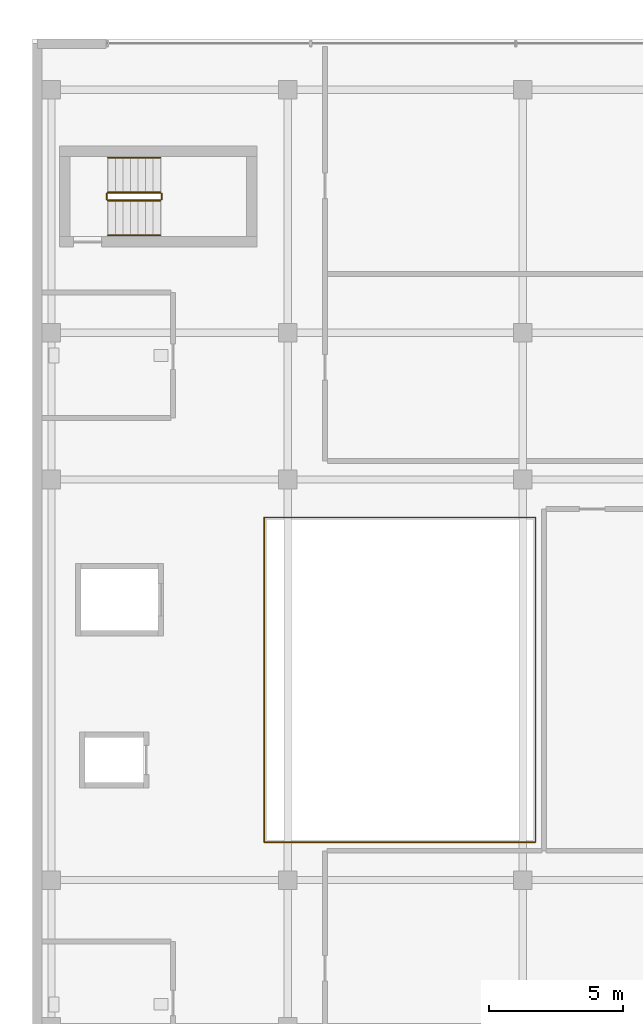
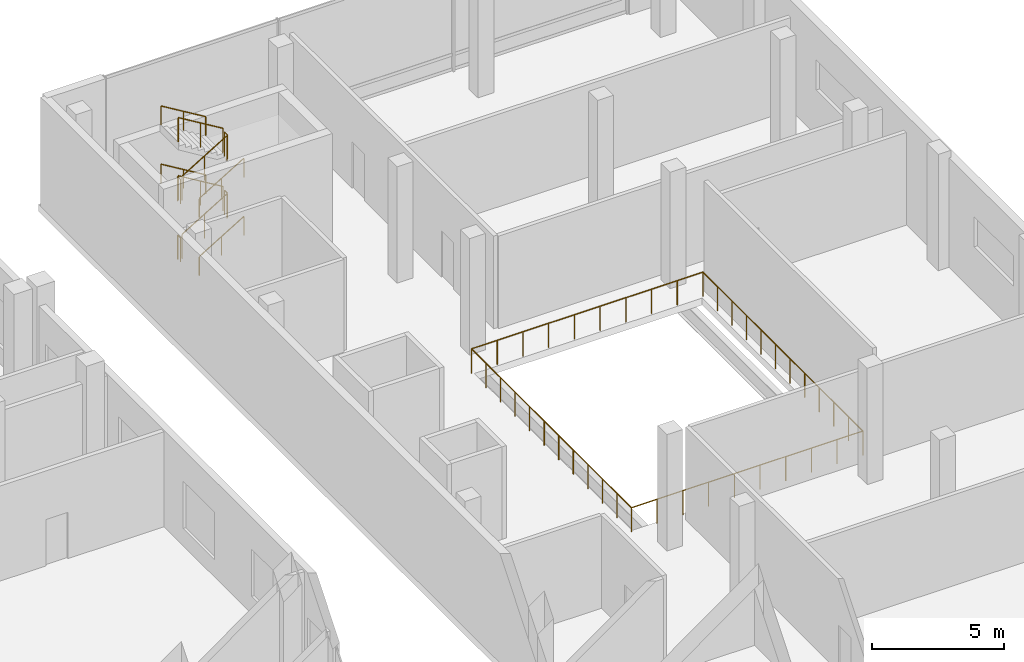
# One storey, part 21 of 22: 13 railings.
"""IFC4 building model written with IfcOpenShell, lengths in metres."""

from ifc_helpers import new_model, si_unit, direction, frame, origin, origin_2d, place, context, subcontext, project, spatial, circle, extrude, material, type_object, element, save


model = new_model("IFC4")

# Units and contexts
model_context = context("Model", 3, precision=1e-05, world=origin(), true_north=direction((0.0, 1.0)))
body_context = subcontext(model_context, "Body", "Model", "MODEL_VIEW")
ifc_project = project(units=[si_unit("LENGTHUNIT", "METRE"), si_unit("AREAUNIT", "SQUARE_METRE"), si_unit("VOLUMEUNIT", "CUBIC_METRE"), si_unit("PLANEANGLEUNIT", "RADIAN"), si_unit("MASSUNIT", "GRAM", prefix="KILO")], contexts=[model_context])

# Site, building, storey
site_placement = place(None, origin())
site = spatial("IfcSite", under=ifc_project, at=site_placement, CompositionType="ELEMENT")
building_placement = place(site_placement, origin())
building = spatial("IfcBuilding", under=site, at=building_placement, Name="Barlavira Tower and Art Museum", CompositionType="ELEMENT")
storey_placement = place(building_placement, frame((0.0, 0.0, 16.800048828125)))
storey = spatial("IfcBuildingStorey", under=building, at=storey_placement, Name="L03", CompositionType="ELEMENT", Elevation=16.800048828125)

# Railings
ifc_material = material(Name="Brushed stainless steel", Category="steel")
railing_type_1 = type_object("IfcRailingType", Name="Interior Void and Landing Guard Railing 1150", PredefinedType="GUARDRAIL", material=ifc_material)
railing_1_placement = place(storey_placement, frame((32.070068359375, 17.949951171875, 0.168701171875)))
element("IfcRailing", 1, at=railing_1_placement, inside=storey, type_object=railing_type_1, Name="L03 ST-M2 stair guard 1", PredefinedType="GUARDRAIL", context=body_context, shape_type="SweptSolid", body=[
    extrude(circle(Radius=0.02392578125, at=origin_2d()), frame((0.0, 0.0, 1.1259765625), z_axis=(0.856493463811, 0.0, 0.516157869696), x_axis=(0.0, 1.0, 0.0)), (0.0, 0.0, 1.0), 2.288330078125),
    extrude(circle(Radius=0.02099609375, at=origin_2d()), origin(), (0.0, 0.0, 1.0), 1.101806640625),
    extrude(circle(Radius=0.02099609375, at=origin_2d()), frame((0.97998046875, 0.0, 0.590576171875)), (0.0, 0.0, 1.0), 1.101806640625),
    extrude(circle(Radius=0.02099609375, at=origin_2d()), frame((1.9599609375, 0.0, 1.18115234375)), (0.0, 0.0, 1.0), 1.101806640625),
])
railing_2_placement = place(storey_placement, frame((34.080078125, 18.0, 1.349853515625)))
element("IfcRailing", 2, at=railing_2_placement, inside=storey, type_object=railing_type_1, Name="L03 ST-M2 stair guard 2", PredefinedType="GUARDRAIL", context=body_context, shape_type="SweptSolid", body=[
    extrude(circle(Radius=0.02392578125, at=origin_2d()), frame((0.0, 0.0, 1.1259765625), z_axis=(0.0, 1.0, 0.0), x_axis=(-1.0, 0.0, 0.0)), (0.0, 0.0, 1.0), 0.199951171875),
    extrude(circle(Radius=0.02099609375, at=origin_2d()), origin(), (0.0, 0.0, 1.0), 1.101806640625),
    extrude(circle(Radius=0.02099609375, at=origin_2d()), frame((0.0, 0.199951171875, 0.0)), (0.0, 0.0, 1.0), 1.101806640625),
])
railing_3_placement = place(storey_placement, frame((34.030029296875, 18.25, 1.518798828125)))
element("IfcRailing", 3, at=railing_3_placement, inside=storey, type_object=railing_type_1, Name="L03 ST-M2 stair guard 3", PredefinedType="GUARDRAIL", context=body_context, shape_type="SweptSolid", body=[
    extrude(circle(Radius=0.02392578125, at=origin_2d()), frame((0.0, 0.0, 1.1259765625), z_axis=(-0.856493463811, 0.0, 0.516157869696), x_axis=(0.0, -1.0, 0.0)), (0.0, 0.0, 1.0), 2.288330078125),
    extrude(circle(Radius=0.02099609375, at=origin_2d()), origin(), (0.0, 0.0, 1.0), 1.101806640625),
    extrude(circle(Radius=0.02099609375, at=origin_2d()), frame((-0.97998046875, 0.0, 0.590576171875)), (0.0, 0.0, 1.0), 1.101806640625),
    extrude(circle(Radius=0.02099609375, at=origin_2d()), frame((-1.9599609375, 0.0, 1.18115234375)), (0.0, 0.0, 1.0), 1.101806640625),
])
railing_4_placement = place(storey_placement, frame((32.02001953125, 18.0, 2.699951171875)))
element("IfcRailing", 4, at=railing_4_placement, inside=storey, type_object=railing_type_1, Name="L03 ST-M2 stair guard 4", PredefinedType="GUARDRAIL", context=body_context, shape_type="SweptSolid", body=[
    extrude(circle(Radius=0.02392578125, at=origin_2d()), frame((0.0, 0.0, 1.1259765625), z_axis=(0.0, 1.0, 0.0), x_axis=(-1.0, 0.0, 0.0)), (0.0, 0.0, 1.0), 0.199951171875),
    extrude(circle(Radius=0.02099609375, at=origin_2d()), origin(), (0.0, 0.0, 1.0), 1.101806640625),
    extrude(circle(Radius=0.02099609375, at=origin_2d()), frame((0.0, 0.199951171875, 0.0)), (0.0, 0.0, 1.0), 1.101806640625),
])
railing_5_placement = place(storey_placement, frame((32.070068359375, 17.949951171875, 2.86865234375)))
element("IfcRailing", 5, at=railing_5_placement, inside=storey, type_object=railing_type_1, Name="L03 ST-M2 stair guard 5", PredefinedType="GUARDRAIL", context=body_context, shape_type="SweptSolid", body=[
    extrude(circle(Radius=0.02392578125, at=origin_2d()), frame((0.0, 0.0, 1.1259765625), z_axis=(0.856446297458, 0.0, 0.516236127728), x_axis=(0.0, 1.0, 0.0)), (0.0, 0.0, 1.0), 2.28857421875),
    extrude(circle(Radius=0.02099609375, at=origin_2d()), origin(), (0.0, 0.0, 1.0), 1.101806640625),
    extrude(circle(Radius=0.02099609375, at=origin_2d()), frame((0.97998046875, 0.0, 0.5908203125)), (0.0, 0.0, 1.0), 1.101806640625),
    extrude(circle(Radius=0.02099609375, at=origin_2d()), frame((1.9599609375, 0.0, 1.181396484375)), (0.0, 0.0, 1.0), 1.101806640625),
])
railing_6_placement = place(storey_placement, frame((34.080078125, 18.0, 4.050048828125)))
element("IfcRailing", 6, at=railing_6_placement, inside=storey, type_object=railing_type_1, Name="L03 ST-M2 stair guard 6", PredefinedType="GUARDRAIL", context=body_context, shape_type="SweptSolid", body=[
    extrude(circle(Radius=0.02392578125, at=origin_2d()), frame((0.0, 0.0, 1.1259765625), z_axis=(0.0, 1.0, 0.0), x_axis=(-1.0, 0.0, 0.0)), (0.0, 0.0, 1.0), 0.199951171875),
    extrude(circle(Radius=0.02099609375, at=origin_2d()), origin(), (0.0, 0.0, 1.0), 1.101806640625),
    extrude(circle(Radius=0.02099609375, at=origin_2d()), frame((0.0, 0.199951171875, 0.0)), (0.0, 0.0, 1.0), 1.101806640625),
])
railing_7_placement = place(storey_placement, frame((34.030029296875, 18.25, 4.21875)))
element("IfcRailing", 7, at=railing_7_placement, inside=storey, type_object=railing_type_1, Name="L03 ST-M2 stair guard 7", PredefinedType="GUARDRAIL", context=body_context, shape_type="SweptSolid", body=[
    extrude(circle(Radius=0.02392578125, at=origin_2d()), frame((0.0, 0.0, 1.1259765625), z_axis=(-0.856493463811, 0.0, 0.516157869696), x_axis=(0.0, -1.0, 0.0)), (0.0, 0.0, 1.0), 2.288330078125),
    extrude(circle(Radius=0.02099609375, at=origin_2d()), origin(), (0.0, 0.0, 1.0), 1.101806640625),
    extrude(circle(Radius=0.02099609375, at=origin_2d()), frame((-0.97998046875, 0.0, 0.590576171875)), (0.0, 0.0, 1.0), 1.101806640625),
    extrude(circle(Radius=0.02099609375, at=origin_2d()), frame((-1.9599609375, 0.0, 1.18115234375)), (0.0, 0.0, 1.0), 1.101806640625),
])
railing_8_placement = place(storey_placement, frame((32.02001953125, 18.0, 0.0)))
element("IfcRailing", 8, at=railing_8_placement, inside=storey, type_object=railing_type_1, Name="L03 ST-M2 stair guard 8", PredefinedType="GUARDRAIL", context=body_context, shape_type="SweptSolid", body=[
    extrude(circle(Radius=0.02392578125, at=origin_2d()), frame((0.0, 0.0, 1.1259765625), z_axis=(0.0, 1.0, 0.0), x_axis=(-1.0, 0.0, 0.0)), (0.0, 0.0, 1.0), 0.199951171875),
    extrude(circle(Radius=0.02099609375, at=origin_2d()), origin(), (0.0, 0.0, 1.0), 1.101806640625),
    extrude(circle(Radius=0.02099609375, at=origin_2d()), frame((0.0, 0.199951171875, 0.0)), (0.0, 0.0, 1.0), 1.101806640625),
])
railing_9_placement = place(storey_placement, frame((37.919921875, -6.080078125, 0.0)))
element("IfcRailing", 9, at=railing_9_placement, inside=storey, type_object=railing_type_1, Name="L03 Museum Daylight Atrium Balustrade", PredefinedType="GUARDRAIL", context=body_context, shape_type="SweptSolid", body=[
    extrude(circle(Radius=0.02392578125, at=origin_2d()), frame((0.0, 0.0, 1.1259765625), z_axis=(1.0, 0.0, 0.0), x_axis=(0.0, 1.0, 0.0)), (0.0, 0.0, 1.0), 10.16015625),
    extrude(circle(Radius=0.02392578125, at=origin_2d()), frame((10.16015625, 0.0, 1.1259765625), z_axis=(0.0, 1.0, 0.0), x_axis=(-1.0, 0.0, 0.0)), (0.0, 0.0, 1.0), 12.16015625),
    extrude(circle(Radius=0.02392578125, at=origin_2d()), frame((10.16015625, 12.16015625, 1.1259765625), z_axis=(-1.0, 0.0, 0.0), x_axis=(0.0, -1.0, 0.0)), (0.0, 0.0, 1.0), 10.16015625),
    extrude(circle(Radius=0.02392578125, at=origin_2d()), frame((0.0, 12.16015625, 1.1259765625), z_axis=(0.0, -1.0, 0.0), x_axis=(1.0, 0.0, 0.0)), (0.0, 0.0, 1.0), 12.16015625),
    extrude(circle(Radius=0.02099609375, at=origin_2d()), origin(), (0.0, 0.0, 1.0), 1.101806640625),
    extrude(circle(Radius=0.02099609375, at=origin_2d()), frame((1.12890625, 0.0, 0.0)), (0.0, 0.0, 1.0), 1.101806640625),
    extrude(circle(Radius=0.02099609375, at=origin_2d()), frame((2.2578125, 0.0, 0.0)), (0.0, 0.0, 1.0), 1.101806640625),
    extrude(circle(Radius=0.02099609375, at=origin_2d()), frame((3.38671875, 0.0, 0.0)), (0.0, 0.0, 1.0), 1.101806640625),
    extrude(circle(Radius=0.02099609375, at=origin_2d()), frame((4.515625, 0.0, 0.0)), (0.0, 0.0, 1.0), 1.101806640625),
    extrude(circle(Radius=0.02099609375, at=origin_2d()), frame((5.64453125, 0.0, 0.0)), (0.0, 0.0, 1.0), 1.101806640625),
    extrude(circle(Radius=0.02099609375, at=origin_2d()), frame((6.7734375, 0.0, 0.0)), (0.0, 0.0, 1.0), 1.101806640625),
    extrude(circle(Radius=0.02099609375, at=origin_2d()), frame((7.90234375, 0.0, 0.0)), (0.0, 0.0, 1.0), 1.101806640625),
    extrude(circle(Radius=0.02099609375, at=origin_2d()), frame((9.03125, 0.0, 0.0)), (0.0, 0.0, 1.0), 1.101806640625),
    extrude(circle(Radius=0.02099609375, at=origin_2d()), frame((10.16015625, 0.0, 0.0)), (0.0, 0.0, 1.0), 1.101806640625),
    extrude(circle(Radius=0.02099609375, at=origin_2d()), frame((10.16015625, 1.10546875, 0.0)), (0.0, 0.0, 1.0), 1.101806640625),
    extrude(circle(Radius=0.02099609375, at=origin_2d()), frame((10.16015625, 2.2109375, 0.0)), (0.0, 0.0, 1.0), 1.101806640625),
    extrude(circle(Radius=0.02099609375, at=origin_2d()), frame((10.16015625, 3.31640625, 0.0)), (0.0, 0.0, 1.0), 1.101806640625),
    extrude(circle(Radius=0.02099609375, at=origin_2d()), frame((10.16015625, 4.421875, 0.0)), (0.0, 0.0, 1.0), 1.101806640625),
    extrude(circle(Radius=0.02099609375, at=origin_2d()), frame((10.16015625, 5.52734375, 0.0)), (0.0, 0.0, 1.0), 1.101806640625),
    extrude(circle(Radius=0.02099609375, at=origin_2d()), frame((10.16015625, 6.6328125, 0.0)), (0.0, 0.0, 1.0), 1.101806640625),
    extrude(circle(Radius=0.02099609375, at=origin_2d()), frame((10.16015625, 7.73828125, 0.0)), (0.0, 0.0, 1.0), 1.101806640625),
    extrude(circle(Radius=0.02099609375, at=origin_2d()), frame((10.16015625, 8.84375, 0.0)), (0.0, 0.0, 1.0), 1.101806640625),
    extrude(circle(Radius=0.02099609375, at=origin_2d()), frame((10.16015625, 9.94921875, 0.0)), (0.0, 0.0, 1.0), 1.101806640625),
    extrude(circle(Radius=0.02099609375, at=origin_2d()), frame((10.16015625, 11.0546875, 0.0)), (0.0, 0.0, 1.0), 1.101806640625),
    extrude(circle(Radius=0.02099609375, at=origin_2d()), frame((10.16015625, 12.16015625, 0.0)), (0.0, 0.0, 1.0), 1.101806640625),
    extrude(circle(Radius=0.02099609375, at=origin_2d()), frame((9.03125, 12.16015625, 0.0)), (0.0, 0.0, 1.0), 1.101806640625),
    extrude(circle(Radius=0.02099609375, at=origin_2d()), frame((7.90234375, 12.16015625, 0.0)), (0.0, 0.0, 1.0), 1.101806640625),
    extrude(circle(Radius=0.02099609375, at=origin_2d()), frame((6.7734375, 12.16015625, 0.0)), (0.0, 0.0, 1.0), 1.101806640625),
    extrude(circle(Radius=0.02099609375, at=origin_2d()), frame((5.64453125, 12.16015625, 0.0)), (0.0, 0.0, 1.0), 1.101806640625),
    extrude(circle(Radius=0.02099609375, at=origin_2d()), frame((4.515625, 12.16015625, 0.0)), (0.0, 0.0, 1.0), 1.101806640625),
    extrude(circle(Radius=0.02099609375, at=origin_2d()), frame((3.38671875, 12.16015625, 0.0)), (0.0, 0.0, 1.0), 1.101806640625),
    extrude(circle(Radius=0.02099609375, at=origin_2d()), frame((2.2578125, 12.16015625, 0.0)), (0.0, 0.0, 1.0), 1.101806640625),
    extrude(circle(Radius=0.02099609375, at=origin_2d()), frame((1.12890625, 12.16015625, 0.0)), (0.0, 0.0, 1.0), 1.101806640625),
    extrude(circle(Radius=0.02099609375, at=origin_2d()), frame((0.0, 12.16015625, 0.0)), (0.0, 0.0, 1.0), 1.101806640625),
    extrude(circle(Radius=0.02099609375, at=origin_2d()), frame((0.0, 11.0546875, 0.0)), (0.0, 0.0, 1.0), 1.101806640625),
    extrude(circle(Radius=0.02099609375, at=origin_2d()), frame((0.0, 9.94921875, 0.0)), (0.0, 0.0, 1.0), 1.101806640625),
    extrude(circle(Radius=0.02099609375, at=origin_2d()), frame((0.0, 8.84375, 0.0)), (0.0, 0.0, 1.0), 1.101806640625),
    extrude(circle(Radius=0.02099609375, at=origin_2d()), frame((0.0, 7.73828125, 0.0)), (0.0, 0.0, 1.0), 1.101806640625),
    extrude(circle(Radius=0.02099609375, at=origin_2d()), frame((0.0, 6.6328125, 0.0)), (0.0, 0.0, 1.0), 1.101806640625),
    extrude(circle(Radius=0.02099609375, at=origin_2d()), frame((0.0, 5.52734375, 0.0)), (0.0, 0.0, 1.0), 1.101806640625),
    extrude(circle(Radius=0.02099609375, at=origin_2d()), frame((0.0, 4.421875, 0.0)), (0.0, 0.0, 1.0), 1.101806640625),
    extrude(circle(Radius=0.02099609375, at=origin_2d()), frame((0.0, 3.31640625, 0.0)), (0.0, 0.0, 1.0), 1.101806640625),
    extrude(circle(Radius=0.02099609375, at=origin_2d()), frame((0.0, 2.2109375, 0.0)), (0.0, 0.0, 1.0), 1.101806640625),
    extrude(circle(Radius=0.02099609375, at=origin_2d()), frame((0.0, 1.10546875, 0.0)), (0.0, 0.0, 1.0), 1.101806640625),
])
railing_type_2 = type_object("IfcRailingType", Name="Stair Pitch Tubular Steel Handrail 920", PredefinedType="HANDRAIL", material=ifc_material)
railing_10_placement = place(storey_placement, frame((32.070068359375, 16.64990234375, 0.168701171875)))
element("IfcRailing", 10, at=railing_10_placement, inside=storey, type_object=railing_type_2, Name="L03 ST-M2 stair handrail 1", PredefinedType="HANDRAIL", context=body_context, shape_type="SweptSolid", body=[
    extrude(circle(Radius=0.02392578125, at=origin_2d()), frame((0.0, 0.0, 0.8759765625), z_axis=(0.856493463811, 0.0, 0.516157869696), x_axis=(0.0, 1.0, 0.0)), (0.0, 0.0, 1.0), 2.288330078125),
    extrude(circle(Radius=0.02099609375, at=origin_2d()), origin(), (0.0, 0.0, 1.0), 0.851806640625),
    extrude(circle(Radius=0.02099609375, at=origin_2d()), frame((0.97998046875, 0.0, 0.590576171875)), (0.0, 0.0, 1.0), 0.851806640625),
    extrude(circle(Radius=0.02099609375, at=origin_2d()), frame((1.9599609375, 0.0, 1.18115234375)), (0.0, 0.0, 1.0), 0.851806640625),
])
railing_11_placement = place(storey_placement, frame((34.030029296875, 19.550048828125, 1.518798828125)))
element("IfcRailing", 11, at=railing_11_placement, inside=storey, type_object=railing_type_2, Name="L03 ST-M2 stair handrail 2", PredefinedType="HANDRAIL", context=body_context, shape_type="SweptSolid", body=[
    extrude(circle(Radius=0.02392578125, at=origin_2d()), frame((0.0, 0.0, 0.8759765625), z_axis=(-0.856493463811, 0.0, 0.516157869696), x_axis=(0.0, -1.0, 0.0)), (0.0, 0.0, 1.0), 2.288330078125),
    extrude(circle(Radius=0.02099609375, at=origin_2d()), origin(), (0.0, 0.0, 1.0), 0.851806640625),
    extrude(circle(Radius=0.02099609375, at=origin_2d()), frame((-0.97998046875, 0.0, 0.590576171875)), (0.0, 0.0, 1.0), 0.851806640625),
    extrude(circle(Radius=0.02099609375, at=origin_2d()), frame((-1.9599609375, 0.0, 1.18115234375)), (0.0, 0.0, 1.0), 0.851806640625),
])
railing_12_placement = place(storey_placement, frame((32.070068359375, 16.64990234375, 2.86865234375)))
element("IfcRailing", 12, at=railing_12_placement, inside=storey, type_object=railing_type_2, Name="L03 ST-M2 stair handrail 3", PredefinedType="HANDRAIL", context=body_context, shape_type="SweptSolid", body=[
    extrude(circle(Radius=0.02392578125, at=origin_2d()), frame((0.0, 0.0, 0.8759765625), z_axis=(0.856446297458, 0.0, 0.516236127728), x_axis=(0.0, 1.0, 0.0)), (0.0, 0.0, 1.0), 2.28857421875),
    extrude(circle(Radius=0.02099609375, at=origin_2d()), origin(), (0.0, 0.0, 1.0), 0.851806640625),
    extrude(circle(Radius=0.02099609375, at=origin_2d()), frame((0.97998046875, 0.0, 0.5908203125)), (0.0, 0.0, 1.0), 0.851806640625),
    extrude(circle(Radius=0.02099609375, at=origin_2d()), frame((1.9599609375, 0.0, 1.181396484375)), (0.0, 0.0, 1.0), 0.851806640625),
])
railing_13_placement = place(storey_placement, frame((34.030029296875, 19.550048828125, 4.21875)))
element("IfcRailing", 13, at=railing_13_placement, inside=storey, type_object=railing_type_2, Name="L03 ST-M2 stair handrail 4", PredefinedType="HANDRAIL", context=body_context, shape_type="SweptSolid", body=[
    extrude(circle(Radius=0.02392578125, at=origin_2d()), frame((0.0, 0.0, 0.8759765625), z_axis=(-0.856493463811, 0.0, 0.516157869696), x_axis=(0.0, -1.0, 0.0)), (0.0, 0.0, 1.0), 2.288330078125),
    extrude(circle(Radius=0.02099609375, at=origin_2d()), origin(), (0.0, 0.0, 1.0), 0.851806640625),
    extrude(circle(Radius=0.02099609375, at=origin_2d()), frame((-0.97998046875, 0.0, 0.590576171875)), (0.0, 0.0, 1.0), 0.851806640625),
    extrude(circle(Radius=0.02099609375, at=origin_2d()), frame((-1.9599609375, 0.0, 1.18115234375)), (0.0, 0.0, 1.0), 0.851806640625),
])

save(model, "model.ifc")
